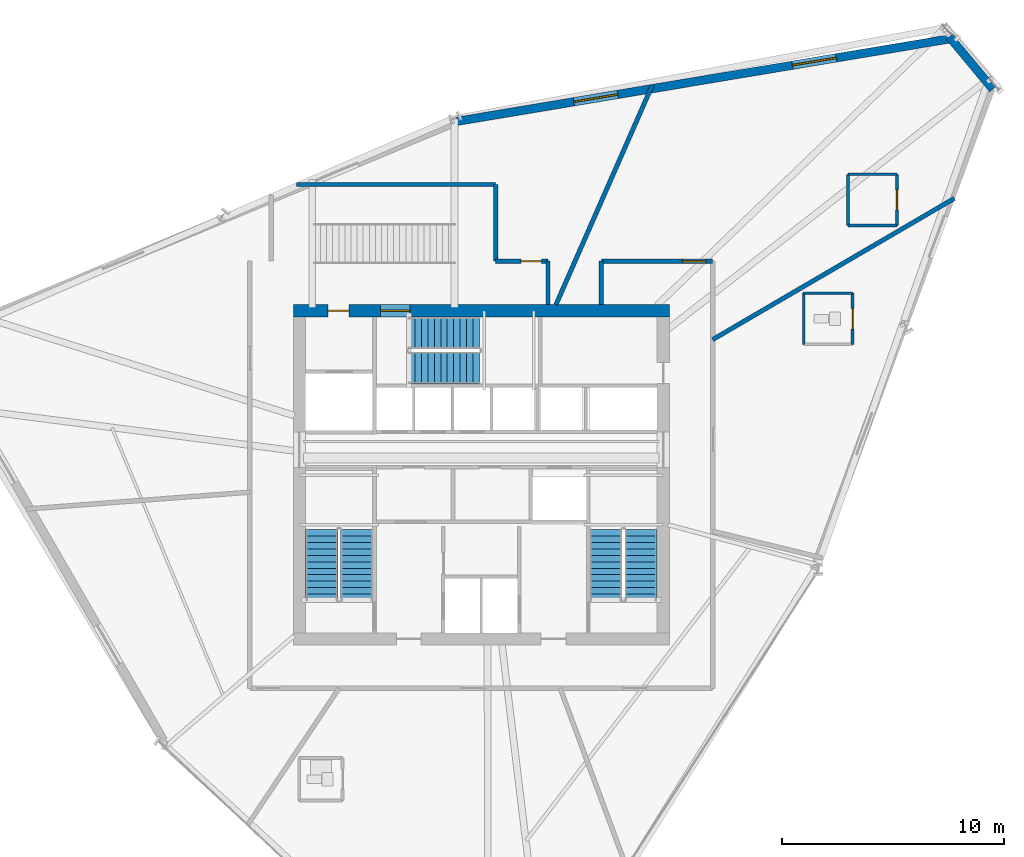
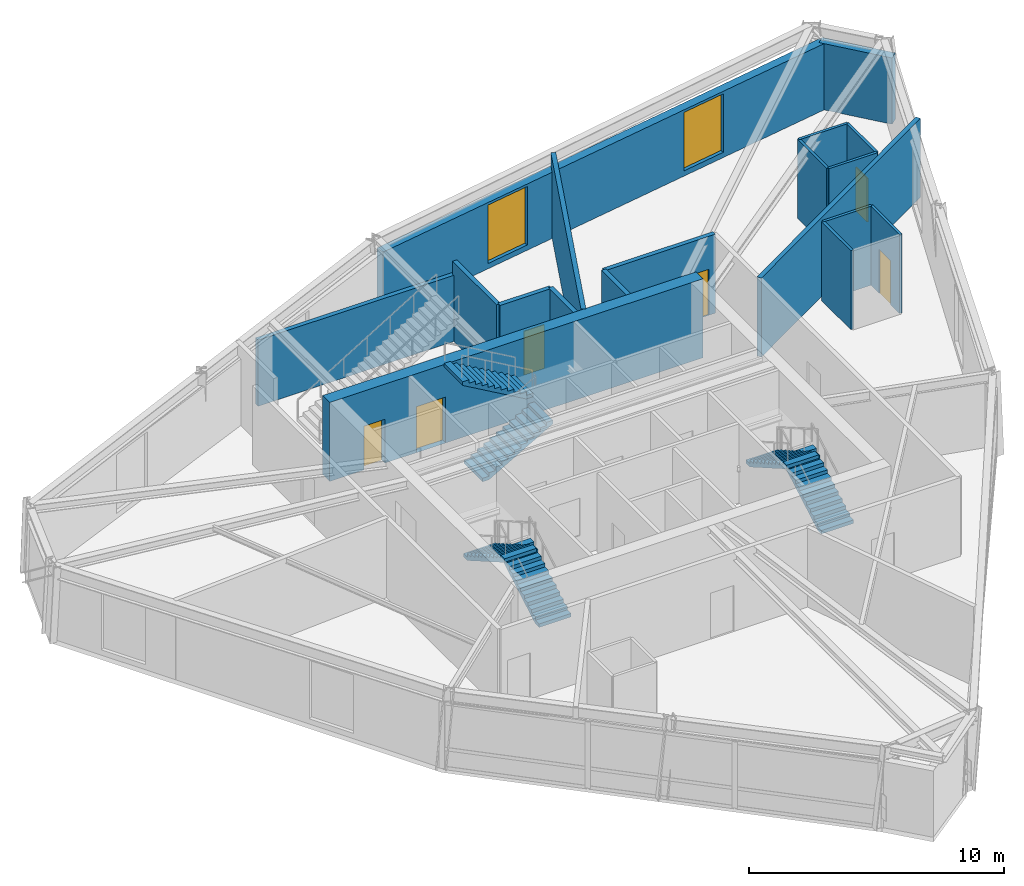
# One storey, part 11 of 14: 18 walls, 6 doors, 6 stair flights, 2 windows, 8 openings, 3 elements without a shape of their own.
"""IFC4 building model written with IfcOpenShell, lengths in metres."""

import ifcopenshell
import ifcopenshell.guid

model = None  # the IFC model being written
_history = None  # IfcOwnerHistory: only IFC2X3 demands one
_inside = {}  # id of a spatial element -> (the spatial element, [elements in it])
_under = {}  # id of a project, library or spatial element -> (it, [spatial elements below it])
_declared = {}  # id of a project -> (the project, [libraries it declares])
_typed = {}  # id of a type object -> (the type object, [elements of that type])
_made_of = {}  # id of a material, layer set ... -> (it, [elements and type objects made of it])


def new_model(schema):
    """Start an empty IFC model of exactly this schema.

    Asked for "IFC4X3", IfcOpenShell would pick the latest addendum, in which some entities
    have other attributes; the version numbers below select the first issue.
    IFC2X3 requires an IfcOwnerHistory on every rooted entity: one is made here for all.
    """
    global model, _history
    if schema == "IFC4X3":
        model = ifcopenshell.file(schema_version=(4, 3, 0, 0))
    else:
        model = ifcopenshell.file(schema=schema)
    _inside.clear()
    _under.clear()
    _declared.clear()
    _typed.clear()
    _made_of.clear()
    _history = None
    if model.schema == "IFC2X3":
        org = make("IfcOrganization", Name="unknown")
        user = make(
            "IfcPersonAndOrganization",
            ThePerson=make("IfcPerson", FamilyName="unknown"),
            TheOrganization=org,
        )
        app = make(
            "IfcApplication",
            ApplicationDeveloper=org,
            Version="unknown",
            ApplicationFullName="unknown",
            ApplicationIdentifier="unknown",
        )
        _history = make(
            "IfcOwnerHistory",
            OwningUser=user,
            OwningApplication=app,
            ChangeAction="ADDED",
            CreationDate=0,
        )
    return model


def make(cls, **values):
    """One entity of the class cls with the attributes given. An attribute that is None is left unset."""
    return model.create_entity(
        cls, **{name: value for name, value in values.items() if value is not None}
    )


def rooted(cls, **values):
    """An entity with a GlobalId (a new one), such as an element, a storey or a relation."""
    return make(cls, GlobalId=ifcopenshell.guid.new(), OwnerHistory=_history, **values)


def si_unit(unit_type, name, prefix=None):
    """IfcSIUnit, for example si_unit("LENGTHUNIT", "METRE", prefix="MILLI")."""
    return make("IfcSIUnit", UnitType=unit_type, Prefix=prefix, Name=name)


def assignment(units):
    """IfcUnitAssignment: the units of a project."""
    return None if units is None else make("IfcUnitAssignment", Units=units)


def point(xyz):
    """IfcCartesianPoint."""
    return None if xyz is None else make("IfcCartesianPoint", Coordinates=xyz)


def direction(xyz):
    """IfcDirection."""
    return None if xyz is None else make("IfcDirection", DirectionRatios=xyz)


def frame(location, z_axis=None, x_axis=None):
    """IfcAxis2Placement3D, a coordinate frame: its origin and axes. An axis left out is left unset."""
    return make(
        "IfcAxis2Placement3D",
        Location=point(location),
        Axis=direction(z_axis),
        RefDirection=direction(x_axis),
    )


def frame_2d(location, x_axis=None):
    """IfcAxis2Placement2D, a coordinate frame in the plane: its origin and x axis."""
    return make(
        "IfcAxis2Placement2D", Location=point(location), RefDirection=direction(x_axis)
    )


def origin():
    """The frame at (0, 0, 0) with its axes left unset."""
    return frame((0.0, 0.0, 0.0))


def place(relative_to, where):
    """IfcLocalPlacement: puts the frame where relative to a parent placement (None: the world)."""
    return make(
        "IfcLocalPlacement", PlacementRelTo=relative_to, RelativePlacement=where
    )


def context(
    kind, dimensions, precision=None, world=None, true_north=None, identifier=None
):
    """IfcGeometricRepresentationContext, for example the 3D "Model" context."""
    return make(
        "IfcGeometricRepresentationContext",
        ContextIdentifier=identifier,
        ContextType=kind,
        CoordinateSpaceDimension=dimensions,
        Precision=precision,
        WorldCoordinateSystem=world,
        TrueNorth=true_north,
    )


def subcontext(parent, identifier, kind, view, scale=None):
    """IfcGeometricRepresentationSubContext, for example "Body" below "Model"."""
    return make(
        "IfcGeometricRepresentationSubContext",
        ContextIdentifier=identifier,
        ContextType=kind,
        ParentContext=parent,
        TargetScale=scale,
        TargetView=view,
    )


def project(units=None, contexts=None):
    """IfcProject with its units and contexts."""
    return rooted(
        "IfcProject",
        Name="project",
        RepresentationContexts=contexts,
        UnitsInContext=assignment(units),
    )


def spatial(cls, under=None, at=None, **own):
    """A site, building, storey or space (cls), placed at a placement, below another one or the project."""
    s = rooted(cls, ObjectPlacement=at, **own)
    if under is not None:
        _under.setdefault(under.id(), (under, []))[1].append(s)
    return s


def polyline(points):
    """IfcPolyline through the points."""
    return make("IfcPolyline", Points=[point(p) for p in points])


def profile(cls, at=None, kind="AREA", **sizes):
    """A parametric profile (cls). Its sizes go by their IFC names, for example OverallWidth=200.0."""
    return make(cls, ProfileType=kind, Position=at, **sizes)


def rectangle(**sizes):
    """IfcRectangleProfileDef."""
    return profile("IfcRectangleProfileDef", **sizes)


def outline(outer, holes=None, kind="AREA"):
    """IfcArbitraryClosedProfileDef: a profile drawn as a closed curve; with holes, ...WithVoids."""
    if holes is None:
        return make("IfcArbitraryClosedProfileDef", ProfileType=kind, OuterCurve=outer)
    return make(
        "IfcArbitraryProfileDefWithVoids",
        ProfileType=kind,
        OuterCurve=outer,
        InnerCurves=holes,
    )


def extrude(swept, where, along, depth):
    """IfcExtrudedAreaSolid: the profile swept, set in the frame where, extruded along a direction by depth."""
    return make(
        "IfcExtrudedAreaSolid",
        SweptArea=swept,
        Position=where,
        ExtrudedDirection=direction(along),
        Depth=depth,
    )


def shape(context_of_items, identifier, shape_type, items):
    """IfcShapeRepresentation: the items that make up one representation, for example the "Body"."""
    return make(
        "IfcShapeRepresentation",
        ContextOfItems=context_of_items,
        RepresentationIdentifier=identifier,
        RepresentationType=shape_type,
        Items=items,
    )


def source(mapping_origin, context_of_items, identifier, shape_type, items):
    """IfcRepresentationMap: a shape defined once, which mapped items show again and again."""
    return make(
        "IfcRepresentationMap",
        MappingOrigin=mapping_origin,
        MappedRepresentation=shape(context_of_items, identifier, shape_type, items),
    )


def transform(
    local_origin,
    x_axis=None,
    y_axis=None,
    z_axis=None,
    scale=None,
    scale2=None,
    scale3=None,
    uniform=True,
):
    """IfcCartesianTransformationOperator3D, or its non-uniform kind. x_axis, y_axis, z_axis: its Axis1, 2, 3."""
    if uniform:
        return make(
            "IfcCartesianTransformationOperator3D",
            Axis1=direction(x_axis),
            Axis2=direction(y_axis),
            LocalOrigin=point(local_origin),
            Scale=scale,
            Axis3=direction(z_axis),
        )
    return make(
        "IfcCartesianTransformationOperator3DnonUniform",
        Axis1=direction(x_axis),
        Axis2=direction(y_axis),
        LocalOrigin=point(local_origin),
        Scale=scale,
        Axis3=direction(z_axis),
        Scale2=scale2,
        Scale3=scale3,
    )


def mapped(mapping_source, mapping_target):
    """IfcMappedItem: shows the shape of a source again, moved by a transform."""
    return make(
        "IfcMappedItem", MappingSource=mapping_source, MappingTarget=mapping_target
    )


def material(Name=None, Category=None):
    """IfcMaterial."""
    return make("IfcMaterial", Name=Name, Category=Category)


def layer(
    of_material, thickness, ventilated=None, Name=None, Category=None, Priority=None
):
    """IfcMaterialLayer: one layer of a wall or slab, of a material (None: an air gap)."""
    return make(
        "IfcMaterialLayer",
        Material=of_material,
        LayerThickness=thickness,
        IsVentilated=ventilated,
        Name=Name,
        Category=Category,
        Priority=Priority,
    )


def layer_set(layers, Name=None):
    """IfcMaterialLayerSet."""
    return make("IfcMaterialLayerSet", MaterialLayers=layers, LayerSetName=Name)


def made_of(thing, what):
    """Note that an element or type object is made of a material, layer set ...; save() writes the relation."""
    if what is not None:
        _made_of.setdefault(what.id(), (what, []))[1].append(thing)
    return thing


def type_object(cls, material=None, **own):
    """A type object (cls), such as IfcWallType, which elements share."""
    return made_of(rooted(cls, **own), material)


def type_shapes(of_type, sources):
    """Give a type object the sources (RepresentationMaps) that its elements show as mapped items."""
    of_type.RepresentationMaps = sources


def element(
    cls,
    number,
    at=None,
    inside=None,
    cuts=None,
    type_object=None,
    material=None,
    context=None,
    identifier="Body",
    shape_type=None,
    held_by="IfcProductDefinitionShape",
    body=None,
    shapes=None,
    **own,
):
    """One element of the class cls, such as IfcWall. Its Tag is "e" and its number.

    at: its placement. inside: the storey or other place that contains it. cuts: it is an
    opening in that element (IfcRelVoidsElement). A single representation is given by context,
    identifier, shape_type and body (its items); several are given by shapes. held_by: the class
    of the entity that holds the representations. save() writes the other relations.
    """
    e = rooted(cls, Tag="e%d" % number, ObjectPlacement=at, **own)
    if body is not None:
        shapes = [shape(context, identifier, shape_type, body)]
    if shapes is not None:
        e.Representation = make(held_by, Representations=shapes)
    if inside is not None:
        _inside.setdefault(inside.id(), (inside, []))[1].append(e)
    if cuts is not None:
        rooted(
            "IfcRelVoidsElement", RelatingBuildingElement=cuts, RelatedOpeningElement=e
        )
    if type_object is not None:
        _typed.setdefault(type_object.id(), (type_object, []))[1].append(e)
    return made_of(e, material)


def fill(opening, filler):
    """IfcRelFillsElement: the door or window that sits in an opening."""
    return rooted(
        "IfcRelFillsElement",
        RelatingOpeningElement=opening,
        RelatedBuildingElement=filler,
    )


def aggregate(whole, parts):
    """IfcRelAggregates: a whole, such as a stair, and the parts it consists of."""
    return rooted("IfcRelAggregates", RelatingObject=whole, RelatedObjects=parts)


def save(model, path):
    """Write the relations noted so far, then the file.

    IfcRelAggregates (storeys below a building ...), IfcRelContainedInSpatialStructure (elements
    in a storey), IfcRelDefinesByType, IfcRelAssociatesMaterial and IfcRelDeclares: one each for
    every whole, place, type object, material and project.
    """
    for whole, parts in _under.values():
        aggregate(whole, parts)
    for where, things in _inside.values():
        rooted(
            "IfcRelContainedInSpatialStructure",
            RelatedElements=things,
            RelatingStructure=where,
        )
    for kind, things in _typed.values():
        rooted("IfcRelDefinesByType", RelatedObjects=things, RelatingType=kind)
    for what, things in _made_of.values():
        rooted("IfcRelAssociatesMaterial", RelatedObjects=things, RelatingMaterial=what)
    for by, libraries in _declared.values():
        rooted("IfcRelDeclares", RelatingContext=by, RelatedDefinitions=libraries)
    model.write(path)


model = new_model("IFC4")

# Units and contexts
model_context = context("Model", 3, precision=1e-05, world=origin(), true_north=direction((0.0, 1.0)))
body_context = subcontext(model_context, "Body", "Model", "MODEL_VIEW")
ifc_project = project(units=[si_unit("LENGTHUNIT", "METRE"), si_unit("AREAUNIT", "SQUARE_METRE"), si_unit("VOLUMEUNIT", "CUBIC_METRE"), si_unit("PLANEANGLEUNIT", "RADIAN"), si_unit("MASSUNIT", "GRAM", prefix="KILO")], contexts=[model_context])

# Site, building, storey
site_placement = place(None, origin())
site = spatial("IfcSite", under=ifc_project, at=site_placement, CompositionType="ELEMENT")
building_placement = place(site_placement, origin())
building = spatial("IfcBuilding", under=site, at=building_placement, Name="Olszyna Solenne Hotel", CompositionType="ELEMENT")
storey_placement = place(building_placement, frame((0.0, 0.0, 196.300048828125)))
storey = spatial("IfcBuildingStorey", under=building, at=storey_placement, Name="L52", CompositionType="ELEMENT", Elevation=196.300048828125)

# Wall, openings, doors
ifc_material_1 = material(Name="Concrete C50/60", Category="concrete")
ifc_layer_1 = layer(ifc_material_1, 0.550048828125, Name="Concrete C50/60")
ifc_layer_set_1 = layer_set([ifc_layer_1], Name="Concrete C50/60")
wall_type_1 = type_object("IfcWallType", Name="WL-CR550", PredefinedType="SHEAR", material=ifc_layer_set_1)
wall_1_placement = place(storey_placement, frame((29.550048828125, 33.97509765625, 0.0), z_axis=(0.0, 0.0, 1.0), x_axis=(1.0, 0.0, 0.0)))
wall_1 = element("IfcWall", 1, at=wall_1_placement, inside=storey, type_object=wall_type_1, Name="Core shear wall WL-CR550 CRW-L52-N", PredefinedType="SHEAR", context=body_context, shape_type="SweptSolid", body=[
    extrude(rectangle(XDim=16.89990234375, YDim=0.550048828125, at=frame_2d((8.449951171875, 0.0))), origin(), (0.0, 0.0, 1.0), 3.780029296875),
])
opening_1_placement = place(wall_1_placement, frame((1.550048828125, 0.0, 0.0)))
opening_1 = element("IfcOpeningElement", 2, at=opening_1_placement, cuts=wall_1, Name="Opening SVD-L52-01", PredefinedType="OPENING", context=body_context, shape_type="SweptSolid", body=[
    extrude(rectangle(XDim=0.949951171875, YDim=2.10009765625, at=frame_2d((0.47509765625, 1.050048828125))), frame((0.0, 0.28515625, 0.0), z_axis=(0.0, -1.0, 0.0), x_axis=(1.0, 0.0, 0.0)), (0.0, 0.0, 1.0), 0.570068359375),
])
opening_2_placement = place(wall_1_placement, frame((3.929931640625, 0.0, 0.0)))
opening_2 = element("IfcOpeningElement", 3, at=opening_2_placement, cuts=wall_1, Name="Opening STD-L52-03", PredefinedType="OPENING", context=body_context, shape_type="SweptSolid", body=[
    extrude(rectangle(XDim=1.320068359375, YDim=2.199951171875, at=frame_2d((0.66015625, 1.10009765625))), frame((0.0, 0.28515625, 0.0), z_axis=(0.0, -1.0, 0.0), x_axis=(1.0, 0.0, 0.0)), (0.0, 0.0, 1.0), 0.570068359375),
])
ifc_material_2 = material(Name="Steel S355J2", Category="steel")
door_type_1 = type_object("IfcDoorType", Name="DR-ST1", OperationType="NOTDEFINED", PredefinedType="DOOR", material=ifc_material_2)
shared_shape_1 = source(origin(), body_context, "Body", "SweptSolid", [
    extrude(rectangle(XDim=1.320068359375, YDim=2.199951171875, at=frame_2d((0.66015625, 1.10009765625))), frame((0.0, 0.02490234375, 0.0), z_axis=(0.0, -1.0, 0.0), x_axis=(1.0, 0.0, 0.0)), (0.0, 0.0, 1.0), 0.050048828125),
])
type_shapes(door_type_1, [shared_shape_1])
door_1_placement = place(opening_2_placement, origin())
door_1 = element("IfcDoor", 4, at=door_1_placement, inside=storey, type_object=door_type_1, Name="Pressurised exit stair ST3 fire door STD-L52-03", OperationType="SINGLE_SWING_RIGHT", OverallHeight=2.199951171875, OverallWidth=1.320068359375, PredefinedType="DOOR", context=body_context, shape_type="MappedRepresentation", body=[
    mapped(shared_shape_1, transform((0.0, 0.0, 0.0), x_axis=(1.0, 0.0, 0.0), y_axis=(0.0, 1.0, 0.0), z_axis=(0.0, 0.0, 1.0), scale=1.0)),
])
fill(opening_2, door_1)
door_type_2 = type_object("IfcDoorType", Name="DR-SV1", OperationType="NOTDEFINED", PredefinedType="DOOR", material=ifc_material_2)
shared_shape_2 = source(origin(), body_context, "Body", "SweptSolid", [
    extrude(rectangle(XDim=0.949951171875, YDim=2.10009765625, at=frame_2d((0.47509765625, 1.050048828125))), frame((0.0, 0.02490234375, 0.0), z_axis=(0.0, -1.0, 0.0), x_axis=(1.0, 0.0, 0.0)), (0.0, 0.0, 1.0), 0.050048828125),
])
type_shapes(door_type_2, [shared_shape_2])
door_2_placement = place(opening_1_placement, origin())
door_2 = element("IfcDoor", 5, at=door_2_placement, inside=storey, type_object=door_type_2, Name="Service lift lobby fire door SVD-L52-01", OperationType="SINGLE_SWING_LEFT", OverallHeight=2.10009765625, OverallWidth=0.949951171875, PredefinedType="DOOR", context=body_context, shape_type="MappedRepresentation", body=[
    mapped(shared_shape_2, transform((0.0, 0.0, 0.0), x_axis=(1.0, 0.0, 0.0), y_axis=(0.0, 1.0, 0.0), z_axis=(0.0, 0.0, 1.0), scale=1.0)),
])
fill(opening_1, door_2)

# Wall, openings, windows
ifc_material_3 = material(Name="Terracotta cladding on precast concrete C45/55", Category="masonry")
ifc_layer_2 = layer(ifc_material_3, 0.3798828125, Name="Terracotta cladding on precast concrete C45/55")
ifc_layer_set_2 = layer_set([ifc_layer_2], Name="Terracotta cladding on precast concrete C45/55")
wall_type_2 = type_object("IfcWallType", Name="WL-EX380", PredefinedType="SOLIDWALL", material=ifc_layer_set_2)
wall_2_placement = place(storey_placement, frame((36.900146484375, 42.48681640625, 0.0), z_axis=(0.0, 0.0, 1.0), x_axis=(0.986277614339, 0.165095328385, 0.0)))
wall_2 = element("IfcWall", 6, at=wall_2_placement, inside=storey, type_object=wall_type_2, Name="Exterior terracotta-precast frame wall WL-EX380 EW-L52-08", PredefinedType="SOLIDWALL", context=body_context, shape_type="SweptSolid", body=[
    extrude(rectangle(XDim=22.626953125, YDim=0.3798828125, at=frame_2d((11.3134765625, 0.0))), origin(), (0.0, 0.0, 1.0), 3.171875),
])
opening_3_placement = place(wall_2_placement, frame((5.3359375, 0.0, 0.251953125)))
opening_3 = element("IfcOpeningElement", 7, at=opening_3_placement, cuts=wall_2, Name="Opening WN-L52-337", PredefinedType="OPENING", context=body_context, shape_type="SweptSolid", body=[
    extrude(rectangle(XDim=2.0, YDim=2.800048828125, at=frame_2d((1.0, 1.39990234375))), frame((0.0, 0.199951171875, 0.0), z_axis=(0.0, -1.0, 0.0), x_axis=(1.0, 0.0, 0.0)), (0.0, 0.0, 1.0), 0.39990234375),
])
opening_4_placement = place(wall_2_placement, frame((15.291015625, 0.0, 0.251953125)))
opening_4 = element("IfcOpeningElement", 8, at=opening_4_placement, cuts=wall_2, Name="Opening WN-L52-338", PredefinedType="OPENING", context=body_context, shape_type="SweptSolid", body=[
    extrude(rectangle(XDim=2.0, YDim=2.800048828125, at=frame_2d((1.0, 1.39990234375))), frame((0.0, 0.199951171875, 0.0), z_axis=(0.0, -1.0, 0.0), x_axis=(1.0, 0.0, 0.0)), (0.0, 0.0, 1.0), 0.39990234375),
])
ifc_material_4 = material(Name="Low-E triple glazing", Category="glass")
window_type = type_object("IfcWindowType", Name="WN-SG1", PartitioningType="SINGLE_PANEL", PredefinedType="WINDOW", material=ifc_material_4)
shared_shape_3 = source(origin(), body_context, "Body", "SweptSolid", [
    extrude(rectangle(XDim=2.0, YDim=2.800048828125, at=frame_2d((1.0, 1.39990234375))), frame((0.0, 0.030029296875, 0.0), z_axis=(0.0, -1.0, 0.0), x_axis=(1.0, 0.0, 0.0)), (0.0, 0.0, 1.0), 0.06005859375),
])
type_shapes(window_type, [shared_shape_3])
window_1_placement = place(opening_3_placement, origin())
window_1 = element("IfcWindow", 9, at=window_1_placement, inside=storey, type_object=window_type, Name="Exterior facade window WN-SG1 WN-L52-337", OverallHeight=2.800048828125, OverallWidth=2.0, PartitioningType="SINGLE_PANEL", PredefinedType="WINDOW", context=body_context, shape_type="MappedRepresentation", body=[
    mapped(shared_shape_3, transform((0.0, 0.0, 0.0), x_axis=(1.0, 0.0, 0.0), y_axis=(0.0, 1.0, 0.0), z_axis=(0.0, 0.0, 1.0), scale=1.0)),
])
fill(opening_3, window_1)
window_2_placement = place(opening_4_placement, origin())
window_2 = element("IfcWindow", 10, at=window_2_placement, inside=storey, type_object=window_type, Name="Exterior facade window WN-SG1 WN-L52-338", OverallHeight=2.800048828125, OverallWidth=2.0, PartitioningType="SINGLE_PANEL", PredefinedType="WINDOW", context=body_context, shape_type="MappedRepresentation", body=[
    mapped(shared_shape_3, transform((0.0, 0.0, 0.0), x_axis=(1.0, 0.0, 0.0), y_axis=(0.0, 1.0, 0.0), z_axis=(0.0, 0.0, 1.0), scale=1.0)),
])
fill(opening_4, window_2)

# Wall
wall_3_placement = place(storey_placement, frame((59.0390625, 46.288330078125, 0.0), z_axis=(0.0, 0.0, 1.0), x_axis=(0.639415269813, -0.76886156929, 0.0)))
element("IfcWall", 11, at=wall_3_placement, inside=storey, type_object=wall_type_2, Name="Exterior terracotta-precast frame wall WL-EX380 EW-L52-09", PredefinedType="SOLIDWALL", context=body_context, shape_type="SweptSolid", body=[
    extrude(rectangle(XDim=3.06103515625, YDim=0.3798828125, at=frame_2d((1.530517578125, 0.0))), origin(), (0.0, 0.0, 1.0), 3.171875),
])

# Wall, opening, door
ifc_material_5 = material(Name="Acoustic gypsum partition", Category="gypsum")
ifc_layer_3 = layer(ifc_material_5, 0.125, Name="Acoustic gypsum partition")
ifc_layer_set_3 = layer_set([ifc_layer_3], Name="Acoustic gypsum partition")
wall_type_3 = type_object("IfcWallType", Name="WL-PT125", PredefinedType="PARTITIONING", material=ifc_layer_set_3)
wall_4_placement = place(storey_placement, frame((54.69091796875, 32.465087890625, 0.0), z_axis=(0.0, 0.0, 1.0), x_axis=(0.0, 1.0, 0.0)))
wall_4 = element("IfcWall", 12, at=wall_4_placement, inside=storey, type_object=wall_type_3, Name="Interior acoustic partition WL-PT125 PW-L52-2935", PredefinedType="PARTITIONING", context=body_context, shape_type="SweptSolid", body=[
    extrude(rectangle(XDim=2.2998046875, YDim=0.125, at=frame_2d((1.14990234375, 0.0))), origin(), (0.0, 0.0, 1.0), 3.780029296875),
])
opening_5_placement = place(wall_4_placement, frame((0.699951171875, 0.0, 0.0)))
opening_5 = element("IfcOpeningElement", 13, at=opening_5_placement, cuts=wall_4, Name="Opening DR-L52-0713", PredefinedType="OPENING", context=body_context, shape_type="SweptSolid", body=[
    extrude(rectangle(XDim=0.89990234375, YDim=2.10009765625, at=frame_2d((0.449951171875, 1.050048828125))), frame((0.0, 0.072509765625, 0.0), z_axis=(0.0, -1.0, 0.0), x_axis=(1.0, 0.0, 0.0)), (0.0, 0.0, 1.0), 0.14501953125),
])
ifc_material_6 = material(Name="Timber hardwood", Category="wood")
door_type_3 = type_object("IfcDoorType", Name="DR-WC1", OperationType="NOTDEFINED", PredefinedType="DOOR", material=ifc_material_6)
shared_shape_4 = source(origin(), body_context, "Body", "SweptSolid", [
    extrude(rectangle(XDim=0.89990234375, YDim=2.10009765625, at=frame_2d((0.449951171875, 1.050048828125))), frame((0.0, 0.02490234375, 0.0), z_axis=(0.0, -1.0, 0.0), x_axis=(1.0, 0.0, 0.0)), (0.0, 0.0, 1.0), 0.050048828125),
])
type_shapes(door_type_3, [shared_shape_4])
door_3_placement = place(opening_5_placement, origin())
door_3 = element("IfcDoor", 14, at=door_3_placement, inside=storey, type_object=door_type_3, Name="En-Suite Bathroom Door DR-L52-0713", OperationType="SINGLE_SWING_LEFT", OverallHeight=2.10009765625, OverallWidth=0.89990234375, PredefinedType="DOOR", context=body_context, shape_type="MappedRepresentation", body=[
    mapped(shared_shape_4, transform((0.0, 0.0, 0.0), x_axis=(1.0, 0.0, 0.0), y_axis=(0.0, 1.0, 0.0), z_axis=(0.0, 0.0, 1.0), scale=1.0)),
])
fill(opening_5, door_3)

# Walls
wall_5_placement = place(storey_placement, frame((54.69091796875, 34.764892578125, 0.0), z_axis=(0.0, 0.0, 1.0), x_axis=(-1.0, 0.0, 0.0)))
element("IfcWall", 15, at=wall_5_placement, inside=storey, type_object=wall_type_3, Name="Interior acoustic partition WL-PT125 PW-L52-2936", PredefinedType="PARTITIONING", context=body_context, shape_type="SweptSolid", body=[
    extrude(rectangle(XDim=2.199951171875, YDim=0.125, at=frame_2d((1.10009765625, 0.0))), origin(), (0.0, 0.0, 1.0), 3.780029296875),
])
wall_6_placement = place(storey_placement, frame((52.490966796875, 34.764892578125, 0.0), z_axis=(0.0, 0.0, 1.0), x_axis=(0.0, -1.0, 0.0)))
element("IfcWall", 16, at=wall_6_placement, inside=storey, type_object=wall_type_3, Name="Interior acoustic partition WL-PT125 PW-L52-2937", PredefinedType="PARTITIONING", context=body_context, shape_type="SweptSolid", body=[
    extrude(rectangle(XDim=2.2998046875, YDim=0.125, at=frame_2d((1.14990234375, 0.0))), origin(), (0.0, 0.0, 1.0), 3.780029296875),
])

# Wall, opening, door
wall_7_placement = place(storey_placement, frame((56.68408203125, 37.805908203125, 0.0), z_axis=(0.0, 0.0, 1.0), x_axis=(0.0, 1.0, 0.0)))
wall_7 = element("IfcWall", 17, at=wall_7_placement, inside=storey, type_object=wall_type_3, Name="Interior acoustic partition WL-PT125 PW-L52-2939", PredefinedType="PARTITIONING", context=body_context, shape_type="SweptSolid", body=[
    extrude(rectangle(XDim=2.300048828125, YDim=0.125, at=frame_2d((1.14990234375, 0.0))), origin(), (0.0, 0.0, 1.0), 3.780029296875),
])
opening_6_placement = place(wall_7_placement, frame((0.699951171875, 0.0, 0.0)))
opening_6 = element("IfcOpeningElement", 18, at=opening_6_placement, cuts=wall_7, Name="Opening DR-L52-0714", PredefinedType="OPENING", context=body_context, shape_type="SweptSolid", body=[
    extrude(rectangle(XDim=0.89990234375, YDim=2.10009765625, at=frame_2d((0.449951171875, 1.050048828125))), frame((0.0, 0.072509765625, 0.0), z_axis=(0.0, -1.0, 0.0), x_axis=(1.0, 0.0, 0.0)), (0.0, 0.0, 1.0), 0.14501953125),
])
door_4_placement = place(opening_6_placement, origin())
door_4 = element("IfcDoor", 19, at=door_4_placement, inside=storey, type_object=door_type_3, Name="En-Suite Bathroom Door DR-L52-0714", OperationType="SINGLE_SWING_LEFT", OverallHeight=2.10009765625, OverallWidth=0.89990234375, PredefinedType="DOOR", context=body_context, shape_type="MappedRepresentation", body=[
    mapped(shared_shape_4, transform((0.0, 0.0, 0.0), x_axis=(1.0, 0.0, 0.0), y_axis=(0.0, 1.0, 0.0), z_axis=(0.0, 0.0, 1.0), scale=1.0)),
])
fill(opening_6, door_4)

# Walls
wall_8_placement = place(storey_placement, frame((56.68408203125, 40.10595703125, 0.0), z_axis=(0.0, 0.0, 1.0), x_axis=(-1.0, 0.0, 0.0)))
element("IfcWall", 20, at=wall_8_placement, inside=storey, type_object=wall_type_3, Name="Interior acoustic partition WL-PT125 PW-L52-2940", PredefinedType="PARTITIONING", context=body_context, shape_type="SweptSolid", body=[
    extrude(rectangle(XDim=2.2001953125, YDim=0.125, at=frame_2d((1.10009765625, 0.0))), origin(), (0.0, 0.0, 1.0), 3.780029296875),
])
wall_9_placement = place(storey_placement, frame((54.48388671875, 40.10595703125, 0.0), z_axis=(0.0, 0.0, 1.0), x_axis=(0.0, -1.0, 0.0)))
element("IfcWall", 21, at=wall_9_placement, inside=storey, type_object=wall_type_3, Name="Interior acoustic partition WL-PT125 PW-L52-2941", PredefinedType="PARTITIONING", context=body_context, shape_type="SweptSolid", body=[
    extrude(rectangle(XDim=2.300048828125, YDim=0.125, at=frame_2d((1.14990234375, 0.0))), origin(), (0.0, 0.0, 1.0), 3.780029296875),
])
wall_10_placement = place(storey_placement, frame((54.48388671875, 37.805908203125, 0.0), z_axis=(0.0, 0.0, 1.0), x_axis=(1.0, 0.0, 0.0)))
element("IfcWall", 22, at=wall_10_placement, inside=storey, type_object=wall_type_3, Name="Interior acoustic partition WL-PT125 PW-L52-2942", PredefinedType="PARTITIONING", context=body_context, shape_type="SweptSolid", body=[
    extrude(rectangle(XDim=2.2001953125, YDim=0.125, at=frame_2d((1.10009765625, 0.0))), origin(), (0.0, 0.0, 1.0), 3.780029296875),
])
ifc_layer_4 = layer(ifc_material_5, 0.199951171875, Name="Acoustic gypsum partition")
ifc_layer_set_4 = layer_set([ifc_layer_4], Name="Acoustic gypsum partition")
wall_type_4 = type_object("IfcWallType", Name="WL-PT200", PredefinedType="PARTITIONING", material=ifc_layer_set_4)
wall_11_placement = place(storey_placement, frame((41.358154296875, 34.25, 0.0), z_axis=(0.0, 0.0, 1.0), x_axis=(0.401937727642, 0.915667004483, 0.0)))
element("IfcWall", 23, at=wall_11_placement, inside=storey, type_object=wall_type_4, Name="Interior acoustic partition WL-PT200 PW-L52-2925", PredefinedType="PARTITIONING", context=body_context, shape_type="SweptSolid", body=[
    extrude(rectangle(XDim=10.77978515625, YDim=0.199951171875, at=frame_2d((5.389892578125, 0.0))), origin(), (0.0, 0.0, 1.0), 3.780029296875),
])
wall_12_placement = place(storey_placement, frame((48.39990234375, 32.67724609375, 0.0), z_axis=(0.0, 0.0, 1.0), x_axis=(0.863398619096, 0.504522372688, 0.0)))
element("IfcWall", 24, at=wall_12_placement, inside=storey, type_object=wall_type_4, Name="Interior acoustic partition WL-PT200 PW-L52-2930", PredefinedType="PARTITIONING", context=body_context, shape_type="SweptSolid", body=[
    extrude(rectangle(XDim=12.58203125, YDim=0.199951171875, at=frame_2d((6.291015625, 0.0))), origin(), (0.0, 0.0, 1.0), 3.780029296875),
])

# Wall, opening, door
wall_13_placement = place(storey_placement, frame((38.64990234375, 36.199951171875, 0.0), z_axis=(0.0, 0.0, 1.0), x_axis=(1.0, 0.0, 0.0)))
wall_13 = element("IfcWall", 25, at=wall_13_placement, inside=storey, type_object=wall_type_4, Name="Interior acoustic partition WL-PT200 PW-L52-2945", PredefinedType="PARTITIONING", context=body_context, shape_type="SweptSolid", body=[
    extrude(rectangle(XDim=2.35009765625, YDim=0.199951171875, at=frame_2d((1.175048828125, 0.0))), origin(), (0.0, 0.0, 1.0), 3.780029296875),
])
opening_7_placement = place(wall_13_placement, frame((1.1298828125, 0.0, 0.0)))
opening_7 = element("IfcOpeningElement", 26, at=opening_7_placement, cuts=wall_13, Name="Opening DR-L52-0719", PredefinedType="OPENING", context=body_context, shape_type="SweptSolid", body=[
    extrude(rectangle(XDim=0.919921875, YDim=2.10009765625, at=frame_2d((0.4599609375, 1.050048828125))), frame((0.0, 0.10986328125, 0.0), z_axis=(0.0, -1.0, 0.0), x_axis=(1.0, 0.0, 0.0)), (0.0, 0.0, 1.0), 0.219970703125),
])
door_type_4 = type_object("IfcDoorType", Name="DR-IN1", OperationType="NOTDEFINED", PredefinedType="DOOR", material=ifc_material_6)
shared_shape_5 = source(origin(), body_context, "Body", "SweptSolid", [
    extrude(rectangle(XDim=0.919921875, YDim=2.10009765625, at=frame_2d((0.4599609375, 1.050048828125))), frame((0.0, 0.02490234375, 0.0), z_axis=(0.0, -1.0, 0.0), x_axis=(1.0, 0.0, 0.0)), (0.0, 0.0, 1.0), 0.050048828125),
])
type_shapes(door_type_4, [shared_shape_5])
door_5_placement = place(opening_7_placement, origin())
door_5 = element("IfcDoor", 27, at=door_5_placement, inside=storey, type_object=door_type_4, Name="Winter Sky Garden Conservatory Entrance Door DR-L52-0719", OperationType="SINGLE_SWING_LEFT", OverallHeight=2.10009765625, OverallWidth=0.919921875, PredefinedType="DOOR", context=body_context, shape_type="MappedRepresentation", body=[
    mapped(shared_shape_5, transform((0.0, 0.0, 0.0), x_axis=(1.0, 0.0, 0.0), y_axis=(0.0, 1.0, 0.0), z_axis=(0.0, 0.0, 1.0), scale=1.0)),
])
fill(opening_7, door_5)

# Wall
wall_14_placement = place(storey_placement, frame((41.0, 34.25, 0.0), z_axis=(0.0, 0.0, 1.0), x_axis=(0.0, 1.0, 0.0)))
element("IfcWall", 28, at=wall_14_placement, inside=storey, type_object=wall_type_4, Name="Interior acoustic partition WL-PT200 PW-L52-2946", PredefinedType="PARTITIONING", context=body_context, shape_type="SweptSolid", body=[
    extrude(rectangle(XDim=1.949951171875, YDim=0.199951171875, at=frame_2d((0.97509765625, 0.0))), origin(), (0.0, 0.0, 1.0), 3.780029296875),
])

# Wall, opening, door
wall_15_placement = place(storey_placement, frame((43.39990234375, 36.199951171875, 0.0), z_axis=(0.0, 0.0, 1.0), x_axis=(1.0, 0.0, 0.0)))
wall_15 = element("IfcWall", 29, at=wall_15_placement, inside=storey, type_object=wall_type_4, Name="Interior acoustic partition WL-PT200 PW-L52-2947", PredefinedType="PARTITIONING", context=body_context, shape_type="SweptSolid", body=[
    extrude(rectangle(XDim=5.0, YDim=0.199951171875, at=frame_2d((2.5, 0.0))), origin(), (0.0, 0.0, 1.0), 3.780029296875),
])
opening_8_placement = place(wall_15_placement, frame((3.64990234375, 0.0, 0.0)))
opening_8 = element("IfcOpeningElement", 30, at=opening_8_placement, cuts=wall_15, Name="Opening DR-L52-0720", PredefinedType="OPENING", context=body_context, shape_type="SweptSolid", body=[
    extrude(rectangle(XDim=1.050048828125, YDim=2.199951171875, at=frame_2d((0.52490234375, 1.10009765625))), frame((0.0, 0.10986328125, 0.0), z_axis=(0.0, -1.0, 0.0), x_axis=(1.0, 0.0, 0.0)), (0.0, 0.0, 1.0), 0.219970703125),
])
door_type_5 = type_object("IfcDoorType", Name="DR-RM2", OperationType="NOTDEFINED", PredefinedType="DOOR", material=ifc_material_6)
shared_shape_6 = source(origin(), body_context, "Body", "SweptSolid", [
    extrude(rectangle(XDim=1.050048828125, YDim=2.199951171875, at=frame_2d((0.52490234375, 1.10009765625))), frame((0.0, 0.02490234375, 0.0), z_axis=(0.0, -1.0, 0.0), x_axis=(1.0, 0.0, 0.0)), (0.0, 0.0, 1.0), 0.050048828125),
])
type_shapes(door_type_5, [shared_shape_6])
door_6_placement = place(opening_8_placement, origin())
door_6 = element("IfcDoor", 31, at=door_6_placement, inside=storey, type_object=door_type_5, Name="Executive Reading Salon Entrance Door DR-L52-0720", OperationType="SINGLE_SWING_LEFT", OverallHeight=2.199951171875, OverallWidth=1.050048828125, PredefinedType="DOOR", context=body_context, shape_type="MappedRepresentation", body=[
    mapped(shared_shape_6, transform((0.0, 0.0, 0.0), x_axis=(1.0, 0.0, 0.0), y_axis=(0.0, 1.0, 0.0), z_axis=(0.0, 0.0, 1.0), scale=1.0)),
])
fill(opening_8, door_6)

# Walls
wall_16_placement = place(storey_placement, frame((43.39990234375, 34.25, 0.0), z_axis=(0.0, 0.0, 1.0), x_axis=(0.0, 1.0, 0.0)))
element("IfcWall", 32, at=wall_16_placement, inside=storey, type_object=wall_type_4, Name="Interior acoustic partition WL-PT200 PW-L52-2948", PredefinedType="PARTITIONING", context=body_context, shape_type="SweptSolid", body=[
    extrude(rectangle(XDim=1.949951171875, YDim=0.199951171875, at=frame_2d((0.97509765625, 0.0))), origin(), (0.0, 0.0, 1.0), 3.780029296875),
])
wall_17_placement = place(storey_placement, frame((38.64990234375, 36.199951171875, 0.0), z_axis=(0.0, 0.0, 1.0), x_axis=(0.0, 1.0, 0.0)))
element("IfcWall", 33, at=wall_17_placement, inside=storey, type_object=wall_type_4, Name="Interior acoustic partition WL-PT200 PW-L52-2951", PredefinedType="PARTITIONING", context=body_context, shape_type="SweptSolid", body=[
    extrude(rectangle(XDim=3.449951171875, YDim=0.199951171875, at=frame_2d((1.72509765625, 0.0))), origin(), (0.0, 0.0, 1.0), 3.780029296875),
])
wall_18_placement = place(storey_placement, frame((29.683349609375, 39.64990234375, 0.0), z_axis=(0.0, 0.0, 1.0), x_axis=(1.0, 0.0, 0.0)))
element("IfcWall", 34, at=wall_18_placement, inside=storey, type_object=wall_type_4, Name="Interior acoustic partition WL-PT200 PW-L52-2952", PredefinedType="PARTITIONING", context=body_context, shape_type="SweptSolid", body=[
    extrude(rectangle(XDim=8.966552734375, YDim=0.199951171875, at=frame_2d((4.4833984375, 0.0))), origin(), (0.0, 0.0, 1.0), 3.1650390625),
])

# Stair, stair flights
ifc_material_7 = material(Name="Concrete C40/50", Category="concrete")
stair_type = type_object("IfcStairType", Name="STR-C1", PredefinedType="TWO_QUARTER_WINDING_STAIR", material=ifc_material_7)
stair_1_placement = place(storey_placement, origin())
stair_1 = element("IfcStair", 35, at=stair_1_placement, inside=storey, type_object=stair_type, Name="L52 ST1", PredefinedType="TWO_QUARTER_WINDING_STAIR")
stair_flight_type = type_object("IfcStairFlightType", Name="FLT-C1", PredefinedType="STRAIGHT", material=ifc_material_7)
stair_flight_1_placement = place(storey_placement, frame((32.39501953125, 20.949951171875, 0.0), z_axis=(0.0, 0.0, 1.0), x_axis=(0.0, 1.0, 0.0)))
stair_flight_1 = element("IfcStairFlight", 36, at=stair_flight_1_placement, type_object=stair_flight_type, Name="ST1 flight 1", NumberOfRisers=12, NumberOfTreads=11, PredefinedType="STRAIGHT", RiserHeight=0.166666667, TreadLength=0.29, context=body_context, shape_type="SweptSolid", body=[
    extrude(outline(polyline([(0.0, 0.0), (0.0, 0.166748046875), (0.2900390625, 0.166748046875), (0.2900390625, 0.333251953125), (0.580078125, 0.333251953125), (0.580078125, 0.5), (0.8701171875, 0.5), (0.8701171875, 0.666748046875), (1.159912109375, 0.666748046875), (1.159912109375, 0.833251953125), (1.449951171875, 0.833251953125), (1.449951171875, 1.0), (1.739990234375, 1.0), (1.739990234375, 1.166748046875), (2.030029296875, 1.166748046875), (2.030029296875, 1.333251953125), (2.320068359375, 1.333251953125), (2.320068359375, 1.5), (2.610107421875, 1.5), (2.610107421875, 1.666748046875), (2.89990234375, 1.666748046875), (2.89990234375, 1.833251953125), (3.18994140625, 1.833251953125), (3.18994140625, 2.0), (3.18994140625, 1.660400390625), (0.30078125, 0.0), (0.0, 0.0)])), frame((0.0, 0.72509765625, 0.0), z_axis=(0.0, -1.0, 0.0), x_axis=(1.0, 0.0, 0.0)), (0.0, 0.0, 1.0), 1.449951171875),
])
stair_flight_2_placement = place(storey_placement, frame((30.824951171875, 24.139892578125, 2.0), z_axis=(0.0, 0.0, 1.0), x_axis=(0.0, -1.0, 0.0)))
stair_flight_2 = element("IfcStairFlight", 37, at=stair_flight_2_placement, type_object=stair_flight_type, Name="ST1 flight 2", NumberOfRisers=12, NumberOfTreads=11, PredefinedType="STRAIGHT", RiserHeight=0.166666667, TreadLength=0.29, context=body_context, shape_type="SweptSolid", body=[
    extrude(outline(polyline([(0.0, 0.0), (0.0, 0.166748046875), (0.2900390625, 0.166748046875), (0.2900390625, 0.333251953125), (0.580078125, 0.333251953125), (0.580078125, 0.5), (0.8701171875, 0.5), (0.8701171875, 0.666748046875), (1.159912109375, 0.666748046875), (1.159912109375, 0.833251953125), (1.449951171875, 0.833251953125), (1.449951171875, 1.0), (1.739990234375, 1.0), (1.739990234375, 1.166748046875), (2.030029296875, 1.166748046875), (2.030029296875, 1.333251953125), (2.320068359375, 1.333251953125), (2.320068359375, 1.5), (2.610107421875, 1.5), (2.610107421875, 1.666748046875), (2.89990234375, 1.666748046875), (2.89990234375, 1.833251953125), (3.18994140625, 1.833251953125), (3.18994140625, 2.0), (3.18994140625, 1.660400390625), (0.30078125, 0.0), (0.0, 0.0)])), frame((0.0, 0.72509765625, 0.0), z_axis=(0.0, -1.0, 0.0), x_axis=(1.0, 0.0, 0.0)), (0.0, 0.0, 1.0), 1.449951171875),
])
aggregate(stair_1, [stair_flight_1, stair_flight_2])

stair_2_placement = place(storey_placement, origin())
stair_2 = element("IfcStair", 38, at=stair_2_placement, inside=storey, type_object=stair_type, Name="L52 ST2", PredefinedType="TWO_QUARTER_WINDING_STAIR")
stair_flight_3_placement = place(storey_placement, frame((45.175048828125, 20.949951171875, 0.0), z_axis=(0.0, 0.0, 1.0), x_axis=(0.0, 1.0, 0.0)))
stair_flight_3 = element("IfcStairFlight", 39, at=stair_flight_3_placement, type_object=stair_flight_type, Name="ST2 flight 1", NumberOfRisers=12, NumberOfTreads=11, PredefinedType="STRAIGHT", RiserHeight=0.166666667, TreadLength=0.29, context=body_context, shape_type="SweptSolid", body=[
    extrude(outline(polyline([(0.0, 0.0), (0.0, 0.166748046875), (0.2900390625, 0.166748046875), (0.2900390625, 0.333251953125), (0.580078125, 0.333251953125), (0.580078125, 0.5), (0.8701171875, 0.5), (0.8701171875, 0.666748046875), (1.159912109375, 0.666748046875), (1.159912109375, 0.833251953125), (1.449951171875, 0.833251953125), (1.449951171875, 1.0), (1.739990234375, 1.0), (1.739990234375, 1.166748046875), (2.030029296875, 1.166748046875), (2.030029296875, 1.333251953125), (2.320068359375, 1.333251953125), (2.320068359375, 1.5), (2.610107421875, 1.5), (2.610107421875, 1.666748046875), (2.89990234375, 1.666748046875), (2.89990234375, 1.833251953125), (3.18994140625, 1.833251953125), (3.18994140625, 2.0), (3.18994140625, 1.660400390625), (0.30078125, 0.0), (0.0, 0.0)])), frame((0.0, 0.72509765625, 0.0), z_axis=(0.0, -1.0, 0.0), x_axis=(1.0, 0.0, 0.0)), (0.0, 0.0, 1.0), 1.449951171875),
])
stair_flight_4_placement = place(storey_placement, frame((43.60498046875, 24.139892578125, 2.0), z_axis=(0.0, 0.0, 1.0), x_axis=(0.0, -1.0, 0.0)))
stair_flight_4 = element("IfcStairFlight", 40, at=stair_flight_4_placement, type_object=stair_flight_type, Name="ST2 flight 2", NumberOfRisers=12, NumberOfTreads=11, PredefinedType="STRAIGHT", RiserHeight=0.166666667, TreadLength=0.29, context=body_context, shape_type="SweptSolid", body=[
    extrude(outline(polyline([(0.0, 0.0), (0.0, 0.166748046875), (0.2900390625, 0.166748046875), (0.2900390625, 0.333251953125), (0.580078125, 0.333251953125), (0.580078125, 0.5), (0.8701171875, 0.5), (0.8701171875, 0.666748046875), (1.159912109375, 0.666748046875), (1.159912109375, 0.833251953125), (1.449951171875, 0.833251953125), (1.449951171875, 1.0), (1.739990234375, 1.0), (1.739990234375, 1.166748046875), (2.030029296875, 1.166748046875), (2.030029296875, 1.333251953125), (2.320068359375, 1.333251953125), (2.320068359375, 1.5), (2.610107421875, 1.5), (2.610107421875, 1.666748046875), (2.89990234375, 1.666748046875), (2.89990234375, 1.833251953125), (3.18994140625, 1.833251953125), (3.18994140625, 2.0), (3.18994140625, 1.660400390625), (0.30078125, 0.0), (0.0, 0.0)])), frame((0.0, 0.72509765625, 0.0), z_axis=(0.0, -1.0, 0.0), x_axis=(1.0, 0.0, 0.0)), (0.0, 0.0, 1.0), 1.449951171875),
])
aggregate(stair_2, [stair_flight_3, stair_flight_4])

stair_3_placement = place(storey_placement, origin())
stair_3 = element("IfcStair", 41, at=stair_3_placement, inside=storey, type_object=stair_type, Name="L52 ST3", PredefinedType="TWO_QUARTER_WINDING_STAIR")
stair_flight_5_placement = place(storey_placement, frame((34.72998046875, 31.405029296875, 0.0), z_axis=(0.0, 0.0, 1.0), x_axis=(1.0, 0.0, 0.0)))
stair_flight_5 = element("IfcStairFlight", 42, at=stair_flight_5_placement, type_object=stair_flight_type, Name="ST3 flight 1", NumberOfRisers=12, NumberOfTreads=11, PredefinedType="STRAIGHT", RiserHeight=0.166666667, TreadLength=0.29, context=body_context, shape_type="SweptSolid", body=[
    extrude(outline(polyline([(0.0, 0.0), (0.0, 0.166748046875), (0.2900390625, 0.166748046875), (0.2900390625, 0.333251953125), (0.580078125, 0.333251953125), (0.580078125, 0.5), (0.8701171875, 0.5), (0.8701171875, 0.666748046875), (1.159912109375, 0.666748046875), (1.159912109375, 0.833251953125), (1.449951171875, 0.833251953125), (1.449951171875, 1.0), (1.739990234375, 1.0), (1.739990234375, 1.166748046875), (2.030029296875, 1.166748046875), (2.030029296875, 1.333251953125), (2.320068359375, 1.333251953125), (2.320068359375, 1.5), (2.610107421875, 1.5), (2.610107421875, 1.666748046875), (2.89990234375, 1.666748046875), (2.89990234375, 1.833251953125), (3.18994140625, 1.833251953125), (3.18994140625, 2.0), (3.18994140625, 1.660400390625), (0.30078125, 0.0), (0.0, 0.0)])), frame((0.0, 0.72509765625, 0.0), z_axis=(0.0, -1.0, 0.0), x_axis=(1.0, 0.0, 0.0)), (0.0, 0.0, 1.0), 1.449951171875),
])
stair_flight_6_placement = place(storey_placement, frame((37.919921875, 32.97509765625, 2.0), z_axis=(0.0, 0.0, 1.0), x_axis=(-1.0, 0.0, 0.0)))
stair_flight_6 = element("IfcStairFlight", 43, at=stair_flight_6_placement, type_object=stair_flight_type, Name="ST3 flight 2", NumberOfRisers=12, NumberOfTreads=11, PredefinedType="STRAIGHT", RiserHeight=0.166666667, TreadLength=0.29, context=body_context, shape_type="SweptSolid", body=[
    extrude(outline(polyline([(0.0, 0.0), (0.0, 0.166748046875), (0.2900390625, 0.166748046875), (0.2900390625, 0.333251953125), (0.580078125, 0.333251953125), (0.580078125, 0.5), (0.8701171875, 0.5), (0.8701171875, 0.666748046875), (1.159912109375, 0.666748046875), (1.159912109375, 0.833251953125), (1.449951171875, 0.833251953125), (1.449951171875, 1.0), (1.739990234375, 1.0), (1.739990234375, 1.166748046875), (2.030029296875, 1.166748046875), (2.030029296875, 1.333251953125), (2.320068359375, 1.333251953125), (2.320068359375, 1.5), (2.610107421875, 1.5), (2.610107421875, 1.666748046875), (2.89990234375, 1.666748046875), (2.89990234375, 1.833251953125), (3.18994140625, 1.833251953125), (3.18994140625, 2.0), (3.18994140625, 1.660400390625), (0.30078125, 0.0), (0.0, 0.0)])), frame((0.0, 0.72509765625, 0.0), z_axis=(0.0, -1.0, 0.0), x_axis=(1.0, 0.0, 0.0)), (0.0, 0.0, 1.0), 1.449951171875),
])
aggregate(stair_3, [stair_flight_5, stair_flight_6])

save(model, "model.ifc")
